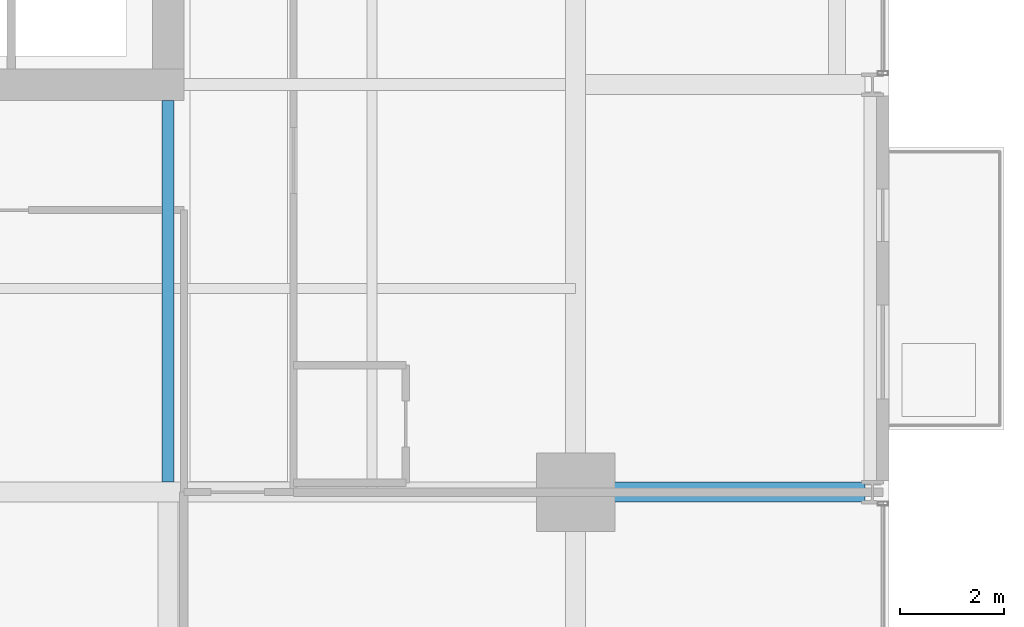
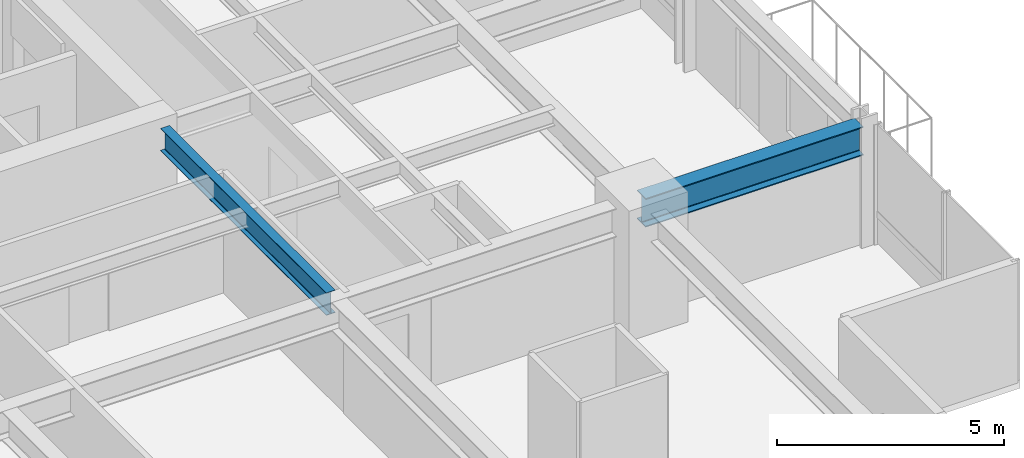
# One storey, part 12 of 34: 2 beams.
"""IFC4 building model written with IfcOpenShell, lengths in metres."""

from ifc_helpers import new_model, si_unit, direction, frame, origin, origin_2d, place, context, subcontext, project, spatial, i_section, extrude, material, material_profile, profile_set, type_object, element, save


model = new_model("IFC4")

# Units and contexts
model_context = context("Model", 3, precision=1e-05, world=origin(), true_north=direction((0.0, 1.0)))
body_context = subcontext(model_context, "Body", "Model", "MODEL_VIEW")
ifc_project = project(units=[si_unit("LENGTHUNIT", "METRE"), si_unit("AREAUNIT", "SQUARE_METRE"), si_unit("VOLUMEUNIT", "CUBIC_METRE"), si_unit("PLANEANGLEUNIT", "RADIAN"), si_unit("MASSUNIT", "GRAM", prefix="KILO")], contexts=[model_context])

# Site, building, storey
site_placement = place(None, origin())
site = spatial("IfcSite", under=ifc_project, at=site_placement, CompositionType="ELEMENT")
building_placement = place(site_placement, origin())
building = spatial("IfcBuilding", under=site, at=building_placement, Name="Drelvath Grand Hotel", CompositionType="ELEMENT")
storey_placement = place(building_placement, frame((0.0, 0.0, 112.800048828125)))
storey = spatial("IfcBuildingStorey", under=building, at=storey_placement, Name="L28", CompositionType="ELEMENT", Elevation=112.800048828125)

# Beams
ifc_material = material(Name="Steel ASTM A992 Gr 50", Category="steel")
ifc_material_profile_1 = material_profile(ifc_material, i_section(OverallWidth=0.228271484375, OverallDepth=0.607666015625, WebThickness=0.01123046875, FlangeThickness=0.017333984375, FilletRadius=0.02001953125, at=origin_2d()), Name="W24X76")
ifc_profile_set_1 = profile_set([ifc_material_profile_1], Name="Steel ASTM A992 Gr 50")
beam_type_1 = type_object("IfcBeamType", Name="Primary Floor Girder W24X76", PredefinedType="BEAM", material=ifc_profile_set_1)
beam_1_placement = place(storey_placement, frame((8.39990234375, 10.990234375, 2.93603515625), z_axis=(0.0, 1.0, 0.0), x_axis=(-1.0, 0.0, 0.0)))
element("IfcBeam", 1, at=beam_1_placement, inside=storey, type_object=beam_type_1, Name="L28 South Core Tie 6", PredefinedType="BEAM", context=body_context, shape_type="SweptSolid", body=[
    extrude(i_section(OverallWidth=0.228271484375, OverallDepth=0.607666015625, WebThickness=0.01123046875, FlangeThickness=0.017333984375, FilletRadius=0.02001953125, at=origin_2d()), origin(), (0.0, 0.0, 1.0), 7.309814453125),
])
ifc_material_profile_2 = material_profile(ifc_material, i_section(OverallWidth=0.380615234375, OverallDepth=0.773193359375, WebThickness=0.0166015625, FlangeThickness=0.027099609375, FilletRadius=0.02490234375, at=origin_2d()), Name="W30X173")
ifc_profile_set_2 = profile_set([ifc_material_profile_2], Name="Steel ASTM A992 Gr 50")
beam_type_2 = type_object("IfcBeamType", Name="Primary Floor Girder W30X173", PredefinedType="BEAM", material=ifc_profile_set_2)
beam_2_placement = place(storey_placement, frame((16.199951171875, 10.800048828125, 2.853271484375), z_axis=(1.0, 0.0, 0.0), x_axis=(0.0, 1.0, 0.0)))
element("IfcBeam", 2, at=beam_2_placement, inside=storey, type_object=beam_type_2, Name="L28 East Grid Girder C", PredefinedType="BEAM", context=body_context, shape_type="SweptSolid", body=[
    extrude(i_section(OverallWidth=0.380615234375, OverallDepth=0.773193359375, WebThickness=0.0166015625, FlangeThickness=0.027099609375, FilletRadius=0.02490234375, at=origin_2d()), origin(), (0.0, 0.0, 1.0), 5.5400390625),
])

save(model, "model.ifc")
